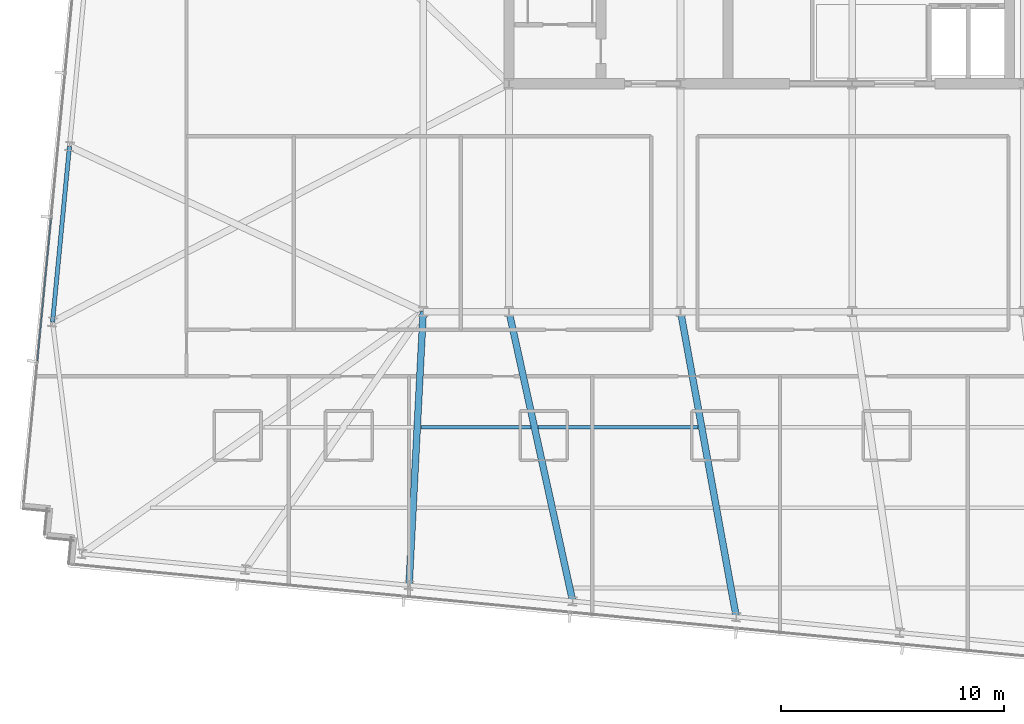
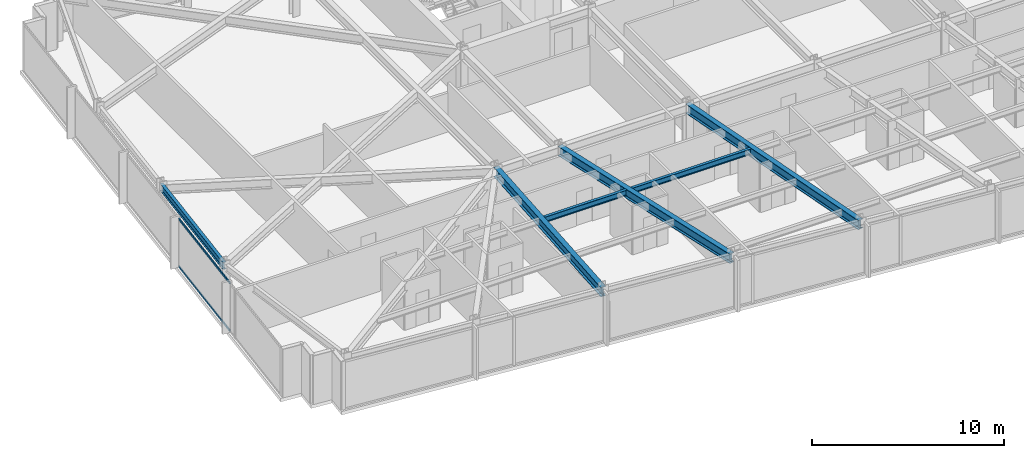
# One storey, part 7 of 37: 6 beams, 2 members, 1 element without a shape of its own.
"""IFC4 building model written with IfcOpenShell, lengths in metres."""

from ifc_helpers import new_model, si_unit, direction, frame, origin, origin_2d, place, context, subcontext, project, spatial, hollow_rectangle, i_section, extrude, material, material_profile, profile_set, type_object, element, aggregate, save


model = new_model("IFC4")

# Units and contexts
model_context = context("Model", 3, precision=1e-05, world=origin(), true_north=direction((0.0, 1.0)))
body_context = subcontext(model_context, "Body", "Model", "MODEL_VIEW")
ifc_project = project(units=[si_unit("LENGTHUNIT", "METRE"), si_unit("AREAUNIT", "SQUARE_METRE"), si_unit("VOLUMEUNIT", "CUBIC_METRE"), si_unit("PLANEANGLEUNIT", "RADIAN"), si_unit("MASSUNIT", "GRAM", prefix="KILO")], contexts=[model_context])

# Site, building, storey
site_placement = place(None, origin())
site = spatial("IfcSite", under=ifc_project, at=site_placement, CompositionType="ELEMENT")
building_placement = place(site_placement, origin())
building = spatial("IfcBuilding", under=site, at=building_placement, Name="Yelkora Congress Tower", CompositionType="ELEMENT")
storey_placement = place(building_placement, frame((0.0, 0.0, 165.5)))
storey = spatial("IfcBuildingStorey", under=building, at=storey_placement, Name="L45", CompositionType="ELEMENT", Elevation=165.5)

# Beams
ifc_material_1 = material(Name="Steel S355J2", Category="steel")
ifc_material_profile_1 = material_profile(ifc_material_1, i_section(OverallWidth=0.300048828125, OverallDepth=0.60009765625, WebThickness=0.015380859375, FlangeThickness=0.030029296875, FilletRadius=0.027099609375, at=origin_2d()), Name="HEB 600")
ifc_profile_set_1 = profile_set([ifc_material_profile_1], Name="Steel S355J2")
beam_type_1 = type_object("IfcBeamType", Name="BM-GIRD-HEB600", PredefinedType="BEAM", material=ifc_profile_set_1)
beam_1_placement = place(storey_placement, frame((18.56591796875, 12.947021484375, 2.780029296875), z_axis=(0.051676299428, 0.99866388744, 0.0), x_axis=(-0.99866388744, 0.051676299428, 0.0)))
element("IfcBeam", 1, at=beam_1_placement, inside=storey, type_object=beam_type_1, Name="L45 Primary Frame Girder S03", PredefinedType="BEAM", context=body_context, shape_type="SweptSolid", body=[
    extrude(i_section(OverallWidth=0.300048828125, OverallDepth=0.60009765625, WebThickness=0.015380859375, FlangeThickness=0.030029296875, FilletRadius=0.027099609375, at=origin_2d()), origin(), (0.0, 0.0, 1.0), 12.269287109375),
])
beam_2_placement = place(storey_placement, frame((25.888916015625, 12.24169921875, 2.780029296875), z_axis=(-0.214722420774, 0.976675115899, 0.0), x_axis=(-0.976675115899, -0.214722420774, 0.0)))
element("IfcBeam", 2, at=beam_2_placement, inside=storey, type_object=beam_type_1, Name="L45 Primary Frame Girder S04", PredefinedType="BEAM", context=body_context, shape_type="SweptSolid", body=[
    extrude(i_section(OverallWidth=0.300048828125, OverallDepth=0.60009765625, WebThickness=0.015380859375, FlangeThickness=0.030029296875, FilletRadius=0.027099609375, at=origin_2d()), origin(), (0.0, 0.0, 1.0), 13.267822265625),
])
beam_3_placement = place(storey_placement, frame((33.21240234375, 11.53662109375, 2.780029296875), z_axis=(-0.179456208566, 0.983765962619, 0.0), x_axis=(-0.983765962619, -0.179456208566, 0.0)))
element("IfcBeam", 3, at=beam_3_placement, inside=storey, type_object=beam_type_1, Name="L45 Primary Frame Girder S05", PredefinedType="BEAM", context=body_context, shape_type="SweptSolid", body=[
    extrude(i_section(OverallWidth=0.300048828125, OverallDepth=0.60009765625, WebThickness=0.015380859375, FlangeThickness=0.030029296875, FilletRadius=0.027099609375, at=origin_2d()), origin(), (0.0, 0.0, 1.0), 13.888916015625),
])
ifc_material_profile_2 = material_profile(ifc_material_1, i_section(OverallWidth=0.169921875, OverallDepth=0.360107421875, WebThickness=0.008056640625, FlangeThickness=0.0126953125, FilletRadius=0.01806640625, at=origin_2d()), Name="IPE 360")
ifc_profile_set_2 = profile_set([ifc_material_profile_2], Name="Steel S355J2")
beam_type_2 = type_object("IfcBeamType", Name="BM-JOIST-IPE360", PredefinedType="JOIST", material=ifc_profile_set_2)
beam_4_placement = place(storey_placement, frame((19.092041015625, 20.021240234375, 2.89990234375), z_axis=(1.0, 0.0, 0.0), x_axis=(0.0, 1.0, 0.0)))
element("IfcBeam", 4, at=beam_4_placement, inside=storey, type_object=beam_type_2, Name="L45 Composite Floor Joist 14", PredefinedType="JOIST", context=body_context, shape_type="SweptSolid", body=[
    extrude(i_section(OverallWidth=0.169921875, OverallDepth=0.360107421875, WebThickness=0.008056640625, FlangeThickness=0.0126953125, FilletRadius=0.01806640625, at=origin_2d()), origin(), (0.0, 0.0, 1.0), 4.926513671875),
])
beam_5_placement = place(storey_placement, frame((24.338623046875, 20.021240234375, 2.89990234375), z_axis=(1.0, 0.0, 0.0), x_axis=(0.0, 1.0, 0.0)))
element("IfcBeam", 5, at=beam_5_placement, inside=storey, type_object=beam_type_2, Name="L45 Composite Floor Joist 15", PredefinedType="JOIST", context=body_context, shape_type="SweptSolid", body=[
    extrude(i_section(OverallWidth=0.169921875, OverallDepth=0.360107421875, WebThickness=0.008056640625, FlangeThickness=0.0126953125, FilletRadius=0.01806640625, at=origin_2d()), origin(), (0.0, 0.0, 1.0), 7.166015625),
])
ifc_material_profile_3 = material_profile(ifc_material_1, i_section(OverallWidth=0.18994140625, OverallDepth=0.449951171875, WebThickness=0.009521484375, FlangeThickness=0.0146484375, FilletRadius=0.02099609375, at=origin_2d()), Name="IPE 450")
ifc_profile_set_3 = profile_set([ifc_material_profile_3], Name="Steel S355J2")
beam_type_3 = type_object("IfcBeamType", Name="BM-SPAN-IPE450", PredefinedType="SPANDREL", material=ifc_profile_set_3)
beam_6_placement = place(storey_placement, frame((3.364501953125, 32.594482421875, 2.85498046875), z_axis=(-0.095831353931, -0.995397584689, 0.0), x_axis=(0.995397584689, -0.095831353931, 0.0)))
element("IfcBeam", 6, at=beam_6_placement, inside=storey, type_object=beam_type_3, Name="L45 Perimeter Beam 18", PredefinedType="SPANDREL", context=body_context, shape_type="SweptSolid", body=[
    extrude(i_section(OverallWidth=0.18994140625, OverallDepth=0.449951171875, WebThickness=0.009521484375, FlangeThickness=0.0146484375, FilletRadius=0.02099609375, at=origin_2d()), origin(), (0.0, 0.0, 1.0), 7.900146484375),
])

# Curtain wall, members
ifc_material_2 = material(Name="Anodised aluminium and insulated glass", Category="aluminium")
curtain_wall_type = type_object("IfcCurtainWallType", Name="CW-SYS-B3", PredefinedType="NOTDEFINED", material=ifc_material_2)
curtain_wall_placement = place(storey_placement, origin())
curtain_wall = element("IfcCurtainWall", 7, at=curtain_wall_placement, inside=storey, type_object=curtain_wall_type, Name="L45 Unitised Curtain Wall 5", PredefinedType="NOTDEFINED")
ifc_material_3 = material(Name="Anodised aluminium 6063-T6", Category="aluminium")
ifc_material_profile_4 = material_profile(ifc_material_3, hollow_rectangle(XDim=0.06005859375, YDim=0.1298828125, WallThickness=0.00390625, at=origin_2d()), Name="ALU 60x130x4")
ifc_profile_set_4 = profile_set([ifc_material_profile_4], Name="Anodised aluminium 6063-T6")
member_type = type_object("IfcMemberType", Name="MEM-TR-B3", PredefinedType="USERDEFINED", material=ifc_profile_set_4)
member_1_placement = place(storey_placement, frame((1.92822265625, 22.996826171875, 0.030029296875), z_axis=(0.095843682057, 0.995396397728, 0.0), x_axis=(-0.995396397728, 0.095843682057, 0.0)))
member_1 = element("IfcMember", 8, at=member_1_placement, type_object=member_type, Name="CW-B3 transom 2.1", ObjectType="TRANSOM", PredefinedType="USERDEFINED", context=body_context, shape_type="SweptSolid", body=[
    extrude(hollow_rectangle(XDim=0.06005859375, YDim=0.1298828125, WallThickness=0.00390625, at=origin_2d()), origin(), (0.0, 0.0, 1.0), 6.4140625),
])
member_2_placement = place(storey_placement, frame((1.92822265625, 22.996826171875, 3.050048828125), z_axis=(0.095843682057, 0.995396397728, 0.0), x_axis=(-0.995396397728, 0.095843682057, 0.0)))
member_2 = element("IfcMember", 9, at=member_2_placement, type_object=member_type, Name="CW-B3 transom 2.2", ObjectType="TRANSOM", PredefinedType="USERDEFINED", context=body_context, shape_type="SweptSolid", body=[
    extrude(hollow_rectangle(XDim=0.06005859375, YDim=0.1298828125, WallThickness=0.00390625, at=origin_2d()), origin(), (0.0, 0.0, 1.0), 6.4140625),
])
aggregate(curtain_wall, [member_1, member_2])

save(model, "model.ifc")
